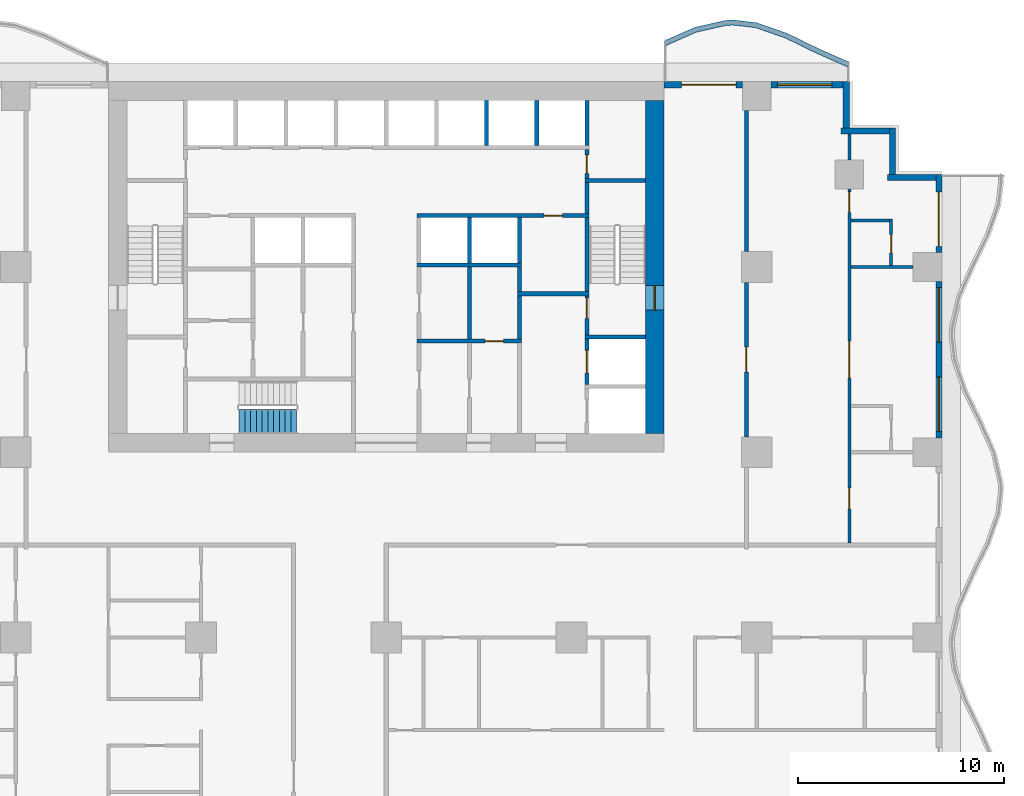
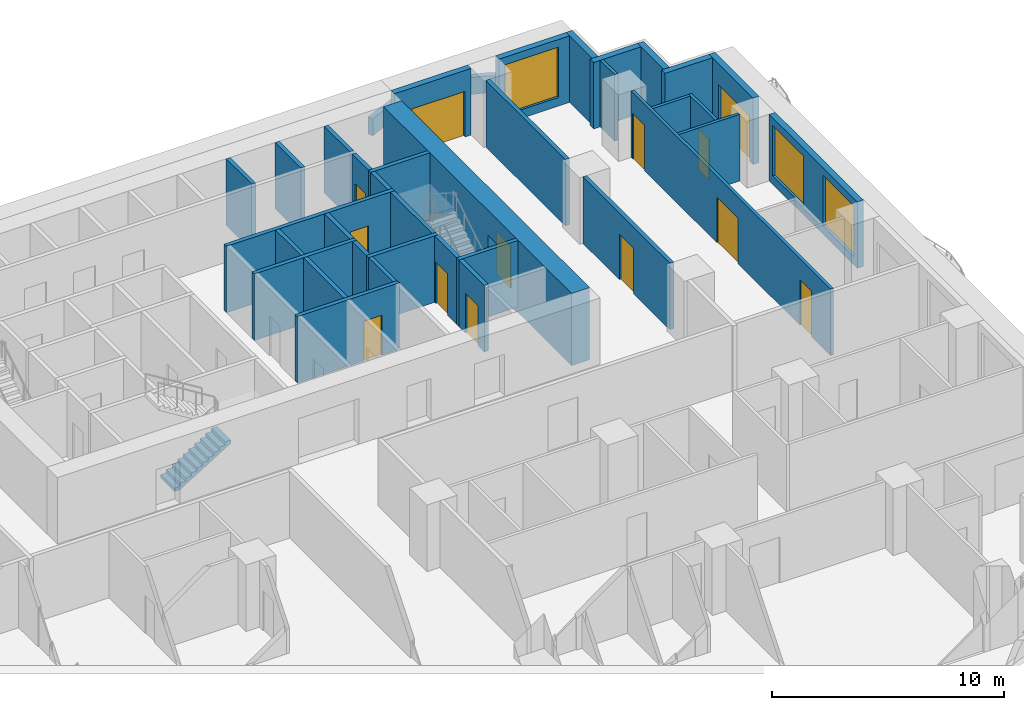
# One storey, part 6 of 14: 36 walls, 13 doors, 3 windows, 1 stair flight, 16 openings, 1 element without a shape of its own.
"""IFC4 building model written with IfcOpenShell, lengths in metres."""

from ifc_helpers import new_model, si_unit, direction, frame, frame_2d, origin, place, context, subcontext, project, spatial, polyline, rectangle, outline, extrude, material, layer, layer_set, type_object, element, fill, aggregate, save


model = new_model("IFC4")

# Units and contexts
model_context = context("Model", 3, precision=1e-05, world=origin(), true_north=direction((0.0, 1.0)))
body_context = subcontext(model_context, "Body", "Model", "MODEL_VIEW")
ifc_project = project(units=[si_unit("LENGTHUNIT", "METRE"), si_unit("AREAUNIT", "SQUARE_METRE"), si_unit("VOLUMEUNIT", "CUBIC_METRE"), si_unit("PLANEANGLEUNIT", "RADIAN"), si_unit("MASSUNIT", "GRAM", prefix="KILO")], contexts=[model_context])

# Site, building, storey
site_placement = place(None, origin())
site = spatial("IfcSite", under=ifc_project, at=site_placement, CompositionType="ELEMENT")
building_placement = place(site_placement, origin())
building = spatial("IfcBuilding", under=site, at=building_placement, Name="Orbiselva Terraces", CompositionType="ELEMENT")
storey_placement = place(building_placement, frame((0.0, 0.0, 41.6)))
storey = spatial("IfcBuildingStorey", under=building, at=storey_placement, Name="L10", CompositionType="ELEMENT", Elevation=41.6)

# Wall, opening, door
ifc_material_1 = material(Name="Concrete C80/95", Category="concrete")
ifc_layer_1 = layer(ifc_material_1, 0.9)
ifc_layer_set_1 = layer_set([ifc_layer_1], Name="Concrete C80/95")
wall_type_1 = type_object("IfcWallType", Name="CORE WALL 900", PredefinedType="SHEAR", material=ifc_layer_set_1)
wall_1_placement = place(storey_placement, frame((13.05, 5.4, -0.3), z_axis=(0.0, 0.0, 1.0), x_axis=(0.0, 1.0, 0.0)))
wall_1 = element("IfcWall", 1, at=wall_1_placement, inside=storey, type_object=wall_type_1, Name="Core wall L10 east", PredefinedType="SHEAR", context=body_context, shape_type="SweptSolid", body=[
    extrude(rectangle(XDim=16.2, YDim=0.9, at=frame_2d((8.1, 0.0))), origin(), (0.0, 0.0, 1.0), 3.8),
])
opening_1_placement = place(wall_1_placement, frame((6.0, 0.0, 0.3)))
opening_1 = element("IfcOpeningElement", 2, at=opening_1_placement, cuts=wall_1, Name="Opening DS1200", PredefinedType="OPENING", context=body_context, shape_type="SweptSolid", body=[
    extrude(rectangle(XDim=1.2, YDim=2.2, at=frame_2d((0.6, 1.1))), frame((0.0, 0.46, 0.0), z_axis=(0.0, -1.0, 0.0), x_axis=(1.0, 0.0, 0.0)), (0.0, 0.0, 1.0), 0.92),
])
ifc_material_2 = material(Name="Steel fire door", Category="steel")
door_type_1 = type_object("IfcDoorType", Name="STAIR DOOR 1200", OperationType="NOTDEFINED", PredefinedType="DOOR", material=ifc_material_2)
door_1_placement = place(opening_1_placement, frame((1.2, 0.0, 0.0), z_axis=(0.0, 0.0, 1.0), x_axis=(-1.0, 0.0, 0.0)))
door_1 = element("IfcDoor", 3, at=door_1_placement, inside=storey, type_object=door_type_1, Name="L10 EXIT STAIR S2 door", OperationType="SINGLE_SWING_LEFT", OverallHeight=2.2, OverallWidth=1.2, PredefinedType="DOOR", context=body_context, shape_type="SweptSolid", body=[
    extrude(rectangle(XDim=1.2, YDim=2.2, at=frame_2d((0.6, 1.1))), frame((0.0, 0.025, 0.0), z_axis=(0.0, -1.0, 0.0), x_axis=(1.0, 0.0, 0.0)), (0.0, 0.0, 1.0), 0.05),
])
fill(opening_1, door_1)

# Walls
ifc_material_3 = material(Name="Masonry blockwork", Category="masonry")
ifc_layer_2 = layer(ifc_material_3, 0.2)
ifc_layer_set_2 = layer_set([ifc_layer_2], Name="Masonry blockwork")
wall_type_2 = type_object("IfcWallType", Name="CORE-WALL-PARTITION-200", PredefinedType="PARTITIONING", material=ifc_layer_set_2)
wall_2_placement = place(storey_placement, frame((4.0375, 10.0, 0.0), z_axis=(0.0, 0.0, 1.0), x_axis=(0.0, 1.0, 0.0)))
element("IfcWall", 4, at=wall_2_placement, inside=storey, type_object=wall_type_2, Name="L10 core wall 37", PredefinedType="PARTITIONING", context=body_context, shape_type="SweptSolid", body=[
    extrude(rectangle(XDim=3.5, YDim=0.2, at=frame_2d((1.75, 0.0))), origin(), (0.0, 0.0, 1.0), 3.5),
])
wall_3_placement = place(storey_placement, frame((6.475, 12.3, 0.0), z_axis=(0.0, 0.0, 1.0), x_axis=(0.0, 1.0, 0.0)))
element("IfcWall", 5, at=wall_3_placement, inside=storey, type_object=wall_type_2, Name="L10 core wall 43", PredefinedType="PARTITIONING", context=body_context, shape_type="SweptSolid", body=[
    extrude(rectangle(XDim=1.2, YDim=0.2, at=frame_2d((0.6, 0.0))), origin(), (0.0, 0.0, 1.0), 3.5),
])

# Wall, opening, door
wall_4_placement = place(storey_placement, frame((9.75, 19.2, 0.0), z_axis=(0.0, 0.0, 1.0), x_axis=(0.0, -1.0, 0.0)))
wall_4 = element("IfcWall", 6, at=wall_4_placement, inside=storey, type_object=wall_type_2, Name="L10 core wall 54", PredefinedType="PARTITIONING", context=body_context, shape_type="SweptSolid", body=[
    extrude(rectangle(XDim=1.4, YDim=0.2, at=frame_2d((0.7, 0.0))), origin(), (0.0, 0.0, 1.0), 3.5),
])
opening_2_placement = place(wall_4_placement, frame((0.25, 0.0, 0.0)))
opening_2 = element("IfcOpeningElement", 7, at=opening_2_placement, cuts=wall_4, Name="Opening DR900", PredefinedType="OPENING", context=body_context, shape_type="SweptSolid", body=[
    extrude(rectangle(XDim=0.9, YDim=2.1, at=frame_2d((0.45, 1.05))), frame((0.0, 0.11, 0.0), z_axis=(0.0, -1.0, 0.0), x_axis=(1.0, 0.0, 0.0)), (0.0, 0.0, 1.0), 0.22),
])
door_type_2 = type_object("IfcDoorType", Name="ROOM DOOR 900", OperationType="NOTDEFINED", PredefinedType="DOOR", material=ifc_material_2)
door_2_placement = place(opening_2_placement, origin())
door_2 = element("IfcDoor", 8, at=door_2_placement, inside=storey, type_object=door_type_2, Name="L10 COMMS RISER ROOM door", OperationType="SINGLE_SWING_RIGHT", OverallHeight=2.1, OverallWidth=0.9, PredefinedType="DOOR", context=body_context, shape_type="SweptSolid", body=[
    extrude(rectangle(XDim=0.9, YDim=2.1, at=frame_2d((0.45, 1.05))), frame((0.0, 0.025, 0.0), z_axis=(0.0, -1.0, 0.0), x_axis=(1.0, 0.0, 0.0)), (0.0, 0.0, 1.0), 0.05),
])
fill(opening_2, door_2)

# Walls
ifc_material_4 = material(Name="Concrete C40/50", Category="concrete")
ifc_layer_3 = layer(ifc_material_4, 0.2)
ifc_layer_set_3 = layer_set([ifc_layer_3], Name="Concrete C40/50")
wall_type_3 = type_object("IfcWallType", Name="CORE-WALL-SHAFT-200", PredefinedType="PARTITIONING", material=ifc_layer_set_3)
for number, where, z_axis, x_axis, name in (
    (9, (4.0375, 13.7, 0.0), (0.0, 0.0, 1.0), (0.0, 1.0, 0.0), "L10 core wall 38"),
    (10, (4.875, 19.4, 0.0), (0.0, 0.0, 1.0), (0.0, 1.0, 0.0), "L10 core wall 39"),
    (11, (6.475, 13.7, 0.0), (0.0, 0.0, 1.0), (0.0, 1.0, 0.0), "L10 core wall 44"),
    (12, (7.3125, 19.4, 0.0), (0.0, 0.0, 1.0), (0.0, 1.0, 0.0), "L10 core wall 45"),
    (13, (9.75, 19.4, 0.0), (0.0, 0.0, 1.0), (0.0, 1.0, 0.0), "L10 core wall 55"),
):
    element("IfcWall", number, at=place(storey_placement, frame(where, z_axis=z_axis, x_axis=x_axis)), inside=storey, type_object=wall_type_3, Name=name, PredefinedType="PARTITIONING", context=body_context, shape_type="SweptSolid", body=[
        extrude(rectangle(XDim=2.2, YDim=0.2, at=frame_2d((1.1, 0.0))), origin(), (0.0, 0.0, 1.0), 3.5),
    ])

# Wall, opening, door
ifc_material_5 = material(Name="Concrete C60/75", Category="concrete")
ifc_layer_4 = layer(ifc_material_5, 0.2)
ifc_layer_set_4 = layer_set([ifc_layer_4], Name="Concrete C60/75")
wall_type_4 = type_object("IfcWallType", Name="CORE-WALL-SHEAR-200", PredefinedType="SHEAR", material=ifc_layer_set_4)
wall_5_placement = place(storey_placement, frame((1.5, 9.9, 0.0), z_axis=(0.0, 0.0, 1.0), x_axis=(1.0, 0.0, 0.0)))
wall_5 = element("IfcWall", 14, at=wall_5_placement, inside=storey, type_object=wall_type_4, Name="L10 core wall 30", PredefinedType="SHEAR", context=body_context, shape_type="SweptSolid", body=[
    extrude(rectangle(XDim=5.075, YDim=0.2, at=frame_2d((2.5375, 0.0))), origin(), (0.0, 0.0, 1.0), 3.5),
])
opening_3_placement = place(wall_5_placement, frame((3.3062, 0.0, 0.0)))
opening_3 = element("IfcOpeningElement", 15, at=opening_3_placement, cuts=wall_5, Name="Opening DR900", PredefinedType="OPENING", context=body_context, shape_type="SweptSolid", body=[
    extrude(rectangle(XDim=0.9, YDim=2.1, at=frame_2d((0.45, 1.05))), frame((0.0, 0.11, 0.0), z_axis=(0.0, -1.0, 0.0), x_axis=(1.0, 0.0, 0.0)), (0.0, 0.0, 1.0), 0.22),
])
door_3_placement = place(opening_3_placement, origin())
door_3 = element("IfcDoor", 16, at=door_3_placement, inside=storey, type_object=door_type_2, Name="L10 LINEN STORE door", OperationType="SINGLE_SWING_RIGHT", OverallHeight=2.1, OverallWidth=0.9, PredefinedType="DOOR", context=body_context, shape_type="SweptSolid", body=[
    extrude(rectangle(XDim=0.9, YDim=2.1, at=frame_2d((0.45, 1.05))), frame((0.0, 0.025, 0.0), z_axis=(0.0, -1.0, 0.0), x_axis=(1.0, 0.0, 0.0)), (0.0, 0.0, 1.0), 0.05),
])
fill(opening_3, door_3)

# Wall
wall_6_placement = place(storey_placement, frame((1.5, 13.6, 0.0), z_axis=(0.0, 0.0, 1.0), x_axis=(1.0, 0.0, 0.0)))
element("IfcWall", 17, at=wall_6_placement, inside=storey, type_object=wall_type_4, Name="L10 core wall 32", PredefinedType="SHEAR", context=body_context, shape_type="SweptSolid", body=[
    extrude(rectangle(XDim=5.075, YDim=0.2, at=frame_2d((2.5375, 0.0))), origin(), (0.0, 0.0, 1.0), 3.5),
])

# Wall, opening, door
wall_7_placement = place(storey_placement, frame((9.85, 16.0, 0.0), z_axis=(0.0, 0.0, 1.0), x_axis=(-1.0, 0.0, 0.0)))
wall_7 = element("IfcWall", 18, at=wall_7_placement, inside=storey, type_object=wall_type_4, Name="L10 core wall 34", PredefinedType="SHEAR", context=body_context, shape_type="SweptSolid", body=[
    extrude(rectangle(XDim=8.35, YDim=0.2, at=frame_2d((4.175, 0.0))), origin(), (0.0, 0.0, 1.0), 3.5),
])
opening_4_placement = place(wall_7_placement, frame((1.2875, 0.0, 0.0)))
opening_4 = element("IfcOpeningElement", 19, at=opening_4_placement, cuts=wall_7, Name="Opening DR900", PredefinedType="OPENING", context=body_context, shape_type="SweptSolid", body=[
    extrude(rectangle(XDim=0.9, YDim=2.1, at=frame_2d((0.45, 1.05))), frame((0.0, 0.11, 0.0), z_axis=(0.0, -1.0, 0.0), x_axis=(1.0, 0.0, 0.0)), (0.0, 0.0, 1.0), 0.22),
])
door_4_placement = place(opening_4_placement, origin())
door_4 = element("IfcDoor", 20, at=door_4_placement, inside=storey, type_object=door_type_2, Name="L10 PIPE RISER ROOM door", OperationType="SINGLE_SWING_LEFT", OverallHeight=2.1, OverallWidth=0.9, PredefinedType="DOOR", context=body_context, shape_type="SweptSolid", body=[
    extrude(rectangle(XDim=0.9, YDim=2.1, at=frame_2d((0.45, 1.05))), frame((0.0, 0.025, 0.0), z_axis=(0.0, -1.0, 0.0), x_axis=(1.0, 0.0, 0.0)), (0.0, 0.0, 1.0), 0.05),
])
fill(opening_4, door_4)

# Walls
wall_8_placement = place(storey_placement, frame((6.475, 10.0, 0.0), z_axis=(0.0, 0.0, 1.0), x_axis=(0.0, 1.0, 0.0)))
element("IfcWall", 21, at=wall_8_placement, inside=storey, type_object=wall_type_4, Name="L10 core wall 41", PredefinedType="SHEAR", context=body_context, shape_type="SweptSolid", body=[
    extrude(rectangle(XDim=2.1, YDim=0.2, at=frame_2d((1.05, 0.0))), origin(), (0.0, 0.0, 1.0), 3.5),
])
wall_9_placement = place(storey_placement, frame((6.375, 12.2, 0.0), z_axis=(0.0, 0.0, 1.0), x_axis=(1.0, 0.0, 0.0)))
element("IfcWall", 22, at=wall_9_placement, inside=storey, type_object=wall_type_4, Name="L10 core wall 42", PredefinedType="SHEAR", context=body_context, shape_type="SweptSolid", body=[
    extrude(rectangle(XDim=3.475, YDim=0.2, at=frame_2d((1.7375, 0.0))), origin(), (0.0, 0.0, 1.0), 3.5),
])

# Wall, opening, door
wall_10_placement = place(storey_placement, frame((9.75, 7.8, 0.0), z_axis=(0.0, 0.0, 1.0), x_axis=(0.0, 1.0, 0.0)))
wall_10 = element("IfcWall", 23, at=wall_10_placement, inside=storey, type_object=wall_type_4, Name="L10 core wall 48", PredefinedType="SHEAR", context=body_context, shape_type="SweptSolid", body=[
    extrude(rectangle(XDim=2.2, YDim=0.2, at=frame_2d((1.1, 0.0))), origin(), (0.0, 0.0, 1.0), 3.5),
])
opening_5_placement = place(wall_10_placement, frame((0.55, 0.0, 0.0)))
opening_5 = element("IfcOpeningElement", 24, at=opening_5_placement, cuts=wall_10, Name="Opening LD-FF2", PredefinedType="OPENING", context=body_context, shape_type="SweptSolid", body=[
    extrude(rectangle(XDim=1.1, YDim=2.1, at=frame_2d((0.55, 1.05))), frame((0.0, 0.11, 0.0), z_axis=(0.0, -1.0, 0.0), x_axis=(1.0, 0.0, 0.0)), (0.0, 0.0, 1.0), 0.22),
])
ifc_material_6 = material(Name="Stainless steel landing door", Category="steel")
door_type_3 = type_object("IfcDoorType", Name="LANDING DOOR 1100", OperationType="SLIDING_TO_LEFT", PredefinedType="DOOR", material=ifc_material_6)
door_5_placement = place(opening_5_placement, origin())
door_5 = element("IfcDoor", 25, at=door_5_placement, inside=storey, type_object=door_type_3, Name="L10 landing door FF2", OperationType="SLIDING_TO_RIGHT", OverallHeight=2.1, OverallWidth=1.1, PredefinedType="DOOR", context=body_context, shape_type="SweptSolid", body=[
    extrude(rectangle(XDim=1.1, YDim=2.1, at=frame_2d((0.55, 1.05))), frame((0.0, 0.025, 0.0), z_axis=(0.0, -1.0, 0.0), x_axis=(1.0, 0.0, 0.0)), (0.0, 0.0, 1.0), 0.05),
])
fill(opening_5, door_5)

# Wall
wall_11_placement = place(storey_placement, frame((9.65, 10.1, 0.0), z_axis=(0.0, 0.0, 1.0), x_axis=(1.0, 0.0, 0.0)))
element("IfcWall", 26, at=wall_11_placement, inside=storey, type_object=wall_type_4, Name="L10 core wall 49", PredefinedType="SHEAR", context=body_context, shape_type="SweptSolid", body=[
    extrude(rectangle(XDim=2.95, YDim=0.2, at=frame_2d((1.475, 0.0))), origin(), (0.0, 0.0, 1.0), 3.5),
])

# Wall, opening, door
wall_12_placement = place(storey_placement, frame((9.75, 12.1, 0.0), z_axis=(0.0, 0.0, 1.0), x_axis=(0.0, -1.0, 0.0)))
wall_12 = element("IfcWall", 27, at=wall_12_placement, inside=storey, type_object=wall_type_4, Name="L10 core wall 50", PredefinedType="SHEAR", context=body_context, shape_type="SweptSolid", body=[
    extrude(rectangle(XDim=1.9, YDim=0.2, at=frame_2d((0.95, 0.0))), origin(), (0.0, 0.0, 1.0), 3.5),
])
opening_6_placement = place(wall_12_placement, frame((0.1, 0.0, 0.0)))
opening_6 = element("IfcOpeningElement", 28, at=opening_6_placement, cuts=wall_12, Name="Opening DS1000", PredefinedType="OPENING", context=body_context, shape_type="SweptSolid", body=[
    extrude(rectangle(XDim=1.0, YDim=2.2, at=frame_2d((0.5, 1.1))), frame((0.0, 0.11, 0.0), z_axis=(0.0, -1.0, 0.0), x_axis=(1.0, 0.0, 0.0)), (0.0, 0.0, 1.0), 0.22),
])
door_type_4 = type_object("IfcDoorType", Name="STAIR DOOR 1000", OperationType="NOTDEFINED", PredefinedType="DOOR", material=ifc_material_2)
door_6_placement = place(opening_6_placement, origin())
door_6 = element("IfcDoor", 29, at=door_6_placement, inside=storey, type_object=door_type_4, Name="L10 FIRE-FIGHTING LOBBY TO EXIT STAIR S2 door", OperationType="SINGLE_SWING_LEFT", OverallHeight=2.2, OverallWidth=1.0, PredefinedType="DOOR", context=body_context, shape_type="SweptSolid", body=[
    extrude(rectangle(XDim=1.0, YDim=2.2, at=frame_2d((0.5, 1.1))), frame((0.0, 0.025, 0.0), z_axis=(0.0, -1.0, 0.0), x_axis=(1.0, 0.0, 0.0)), (0.0, 0.0, 1.0), 0.05),
])
fill(opening_6, door_6)

# Walls
wall_13_placement = place(storey_placement, frame((9.75, 12.3, 0.0), z_axis=(0.0, 0.0, 1.0), x_axis=(0.0, 1.0, 0.0)))
element("IfcWall", 30, at=wall_13_placement, inside=storey, type_object=wall_type_4, Name="L10 core wall 51", PredefinedType="SHEAR", context=body_context, shape_type="SweptSolid", body=[
    extrude(rectangle(XDim=3.6, YDim=0.2, at=frame_2d((1.8, 0.0))), origin(), (0.0, 0.0, 1.0), 3.5),
])
wall_14_placement = place(storey_placement, frame((9.75, 16.1, 0.0), z_axis=(0.0, 0.0, 1.0), x_axis=(0.0, 1.0, 0.0)))
element("IfcWall", 31, at=wall_14_placement, inside=storey, type_object=wall_type_4, Name="L10 core wall 52", PredefinedType="SHEAR", context=body_context, shape_type="SweptSolid", body=[
    extrude(rectangle(XDim=1.5, YDim=0.2, at=frame_2d((0.75, 0.0))), origin(), (0.0, 0.0, 1.0), 3.5),
])
wall_15_placement = place(storey_placement, frame((9.65, 17.7, 0.0), z_axis=(0.0, 0.0, 1.0), x_axis=(1.0, 0.0, 0.0)))
element("IfcWall", 32, at=wall_15_placement, inside=storey, type_object=wall_type_4, Name="L10 core wall 53", PredefinedType="SHEAR", context=body_context, shape_type="SweptSolid", body=[
    extrude(rectangle(XDim=2.95, YDim=0.2, at=frame_2d((1.475, 0.0))), origin(), (0.0, 0.0, 1.0), 3.5),
])
ifc_layer_5 = layer(ifc_material_4, 0.25)
ifc_layer_set_5 = layer_set([ifc_layer_5], Name="Concrete C40/50")
wall_type_5 = type_object("IfcWallType", Name="ENV-PLANTER-250x900", PredefinedType="USERDEFINED", material=ifc_layer_set_5)
wall_16_placement = place(storey_placement, origin())
element("IfcWall", 33, at=wall_16_placement, inside=storey, type_object=wall_type_5, Name="Balcony planter L10 NE", ObjectType="PLANTER", PredefinedType="USERDEFINED", context=body_context, shape_type="SweptSolid", body=[
    extrude(outline(polyline([(22.5, 23.451472), (21.0, 24.112279), (19.5, 24.844789), (18.0, 25.369208), (16.875, 25.5), (16.5, 25.485226), (15.0, 25.148528), (13.5, 24.487721), (13.600788, 24.258938), (15.078508, 24.90993), (16.532565, 25.236315), (16.865428, 25.249429), (17.943629, 25.124078), (19.40356, 24.613667), (20.894714, 23.885477), (22.399212, 23.222689), (22.5, 23.451472)])), origin(), (0.0, 0.0, 1.0), 0.9),
])

# Wall, openings, windows
ifc_material_7 = material(Name="Terracotta cladding on masonry backing", Category="masonry")
ifc_layer_6 = layer(ifc_material_7, 0.3)
ifc_layer_set_6 = layer_set([ifc_layer_6], Name="Terracotta cladding on masonry backing")
wall_type_6 = type_object("IfcWallType", Name="ENV-WALL-TERRACOTTA-300", PredefinedType="SOLIDWALL", material=ifc_layer_set_6)
wall_17_placement = place(storey_placement, frame((26.85, 12.8, 0.0), z_axis=(0.0, 0.0, 1.0), x_axis=(0.0, -1.0, 0.0)))
wall_17 = element("IfcWall", 34, at=wall_17_placement, inside=storey, type_object=wall_type_6, Name="Facade wall L10 E", PredefinedType="SOLIDWALL", context=body_context, shape_type="SweptSolid", body=[
    extrude(rectangle(XDim=7.6, YDim=0.3, at=frame_2d((3.8, 0.0))), origin(), (0.0, 0.0, 1.0), 3.5),
])
opening_7_placement = place(wall_17_placement, frame((4.65, 0.0, 0.45)))
opening_7 = element("IfcOpeningElement", 35, at=opening_7_placement, cuts=wall_17, Name="Opening WN3", PredefinedType="OPENING", context=body_context, shape_type="SweptSolid", body=[
    extrude(rectangle(XDim=2.65, YDim=2.65, at=frame_2d((1.325, 1.325))), frame((0.0, 0.16, 0.0), z_axis=(0.0, -1.0, 0.0), x_axis=(1.0, 0.0, 0.0)), (0.0, 0.0, 1.0), 0.32),
])
opening_8_placement = place(wall_17_placement, frame((0.3, 0.0, 0.45)))
opening_8 = element("IfcOpeningElement", 36, at=opening_8_placement, cuts=wall_17, Name="Opening WN3", PredefinedType="OPENING", context=body_context, shape_type="SweptSolid", body=[
    extrude(rectangle(XDim=2.65, YDim=2.65, at=frame_2d((1.325, 1.325))), frame((0.0, 0.16, 0.0), z_axis=(0.0, -1.0, 0.0), x_axis=(1.0, 0.0, 0.0)), (0.0, 0.0, 1.0), 0.32),
])
ifc_material_8 = material(Name="Clear low-e glazing in aluminium frame", Category="aluminium")
window_type = type_object("IfcWindowType", Name="WINDOW 2650 X 2650 S450", PartitioningType="TRIPLE_PANEL_VERTICAL", PredefinedType="WINDOW", material=ifc_material_8)
window_1_placement = place(opening_7_placement, origin())
window_1 = element("IfcWindow", 37, at=window_1_placement, inside=storey, type_object=window_type, Name="Window L10 E", OverallHeight=2.65, OverallWidth=2.65, PartitioningType="SINGLE_PANEL", PredefinedType="WINDOW", context=body_context, shape_type="SweptSolid", body=[
    extrude(rectangle(XDim=2.65, YDim=2.65, at=frame_2d((1.325, 1.325))), frame((0.0, 0.03, 0.0), z_axis=(0.0, -1.0, 0.0), x_axis=(1.0, 0.0, 0.0)), (0.0, 0.0, 1.0), 0.06),
])
fill(opening_7, window_1)
window_2_placement = place(opening_8_placement, origin())
window_2 = element("IfcWindow", 38, at=window_2_placement, inside=storey, type_object=window_type, Name="Window L10 E", OverallHeight=2.65, OverallWidth=2.65, PartitioningType="SINGLE_PANEL", PredefinedType="WINDOW", context=body_context, shape_type="SweptSolid", body=[
    extrude(rectangle(XDim=2.65, YDim=2.65, at=frame_2d((1.325, 1.325))), frame((0.0, 0.03, 0.0), z_axis=(0.0, -1.0, 0.0), x_axis=(1.0, 0.0, 0.0)), (0.0, 0.0, 1.0), 0.06),
])
fill(opening_8, window_2)

# Wall, opening, door
wall_18_placement = place(storey_placement, frame((26.85, 18.0, 0.0), z_axis=(0.0, 0.0, 1.0), x_axis=(0.0, -1.0, 0.0)))
wall_18 = element("IfcWall", 39, at=wall_18_placement, inside=storey, type_object=wall_type_6, Name="Facade wall L10 E", PredefinedType="SOLIDWALL", context=body_context, shape_type="SweptSolid", body=[
    extrude(rectangle(XDim=3.8, YDim=0.3, at=frame_2d((1.9, 0.0))), origin(), (0.0, 0.0, 1.0), 3.5),
])
opening_9_placement = place(wall_18_placement, frame((0.85, 0.0, 0.0)))
opening_9 = element("IfcOpeningElement", 40, at=opening_9_placement, cuts=wall_18, Name="Opening Z1-C-E19", PredefinedType="OPENING", context=body_context, shape_type="SweptSolid", body=[
    extrude(rectangle(XDim=2.65, YDim=2.4, at=frame_2d((1.325, 1.2))), frame((0.0, 0.16, 0.0), z_axis=(0.0, -1.0, 0.0), x_axis=(1.0, 0.0, 0.0)), (0.0, 0.0, 1.0), 0.32),
])
door_type_5 = type_object("IfcDoorType", Name="BALCONY DOOR 2650 X 2400", OperationType="DOUBLE_DOOR_SLIDING", PredefinedType="DOOR", material=ifc_material_8)
door_7_placement = place(opening_9_placement, origin())
door_7 = element("IfcDoor", 41, at=door_7_placement, inside=storey, type_object=door_type_5, Name="Z1-C-E19", OperationType="SINGLE_SWING_LEFT", OverallHeight=2.4, OverallWidth=2.65, PredefinedType="DOOR", context=body_context, shape_type="SweptSolid", body=[
    extrude(rectangle(XDim=2.65, YDim=2.4, at=frame_2d((1.325, 1.2))), frame((0.0, 0.025, 0.0), z_axis=(0.0, -1.0, 0.0), x_axis=(1.0, 0.0, 0.0)), (0.0, 0.0, 1.0), 0.05),
])
fill(opening_9, door_7)

# Walls
wall_19_placement = place(storey_placement, frame((24.35, 17.85, 0.0), z_axis=(0.0, 0.0, 1.0), x_axis=(1.0, 0.0, 0.0)))
element("IfcWall", 42, at=wall_19_placement, inside=storey, type_object=wall_type_6, Name="Facade wall L10 STEP", PredefinedType="SOLIDWALL", context=body_context, shape_type="SweptSolid", body=[
    extrude(rectangle(XDim=2.35, YDim=0.3, at=frame_2d((1.175, 0.0))), origin(), (0.0, 0.0, 1.0), 3.5),
])
wall_20_placement = place(storey_placement, frame((24.6, 20.25, 0.0), z_axis=(0.0, 0.0, 1.0), x_axis=(0.0, -1.0, 0.0)))
element("IfcWall", 43, at=wall_20_placement, inside=storey, type_object=wall_type_6, Name="Facade wall L10 STEP", PredefinedType="SOLIDWALL", context=body_context, shape_type="SweptSolid", body=[
    extrude(rectangle(XDim=2.25, YDim=0.3, at=frame_2d((1.125, 0.0))), origin(), (0.0, 0.0, 1.0), 3.5),
])
wall_21_placement = place(storey_placement, frame((22.1, 20.1, 0.0), z_axis=(0.0, 0.0, 1.0), x_axis=(1.0, 0.0, 0.0)))
element("IfcWall", 44, at=wall_21_placement, inside=storey, type_object=wall_type_6, Name="Facade wall L10 STEP", PredefinedType="SOLIDWALL", context=body_context, shape_type="SweptSolid", body=[
    extrude(rectangle(XDim=2.35, YDim=0.3, at=frame_2d((1.175, 0.0))), origin(), (0.0, 0.0, 1.0), 3.5),
])
wall_22_placement = place(storey_placement, frame((22.35, 22.5, 0.0), z_axis=(0.0, 0.0, 1.0), x_axis=(0.0, -1.0, 0.0)))
element("IfcWall", 45, at=wall_22_placement, inside=storey, type_object=wall_type_6, Name="Facade wall L10 STEP", PredefinedType="SOLIDWALL", context=body_context, shape_type="SweptSolid", body=[
    extrude(rectangle(XDim=2.25, YDim=0.3, at=frame_2d((1.125, 0.0))), origin(), (0.0, 0.0, 1.0), 3.5),
])

# Wall, opening, window
wall_23_placement = place(storey_placement, frame((18.7, 22.35, 0.0), z_axis=(0.0, 0.0, 1.0), x_axis=(1.0, 0.0, 0.0)))
wall_23 = element("IfcWall", 46, at=wall_23_placement, inside=storey, type_object=wall_type_6, Name="Facade wall L10 NE", PredefinedType="SOLIDWALL", context=body_context, shape_type="SweptSolid", body=[
    extrude(rectangle(XDim=3.5, YDim=0.3, at=frame_2d((1.75, 0.0))), origin(), (0.0, 0.0, 1.0), 3.5),
])
opening_10_placement = place(wall_23_placement, frame((0.3, 0.0, 0.45)))
opening_10 = element("IfcOpeningElement", 47, at=opening_10_placement, cuts=wall_23, Name="Opening WN3", PredefinedType="OPENING", context=body_context, shape_type="SweptSolid", body=[
    extrude(rectangle(XDim=2.65, YDim=2.65, at=frame_2d((1.325, 1.325))), frame((0.0, 0.16, 0.0), z_axis=(0.0, -1.0, 0.0), x_axis=(1.0, 0.0, 0.0)), (0.0, 0.0, 1.0), 0.32),
])
window_3_placement = place(opening_10_placement, origin())
window_3 = element("IfcWindow", 48, at=window_3_placement, inside=storey, type_object=window_type, Name="Window L10 NE", OverallHeight=2.65, OverallWidth=2.65, PartitioningType="SINGLE_PANEL", PredefinedType="WINDOW", context=body_context, shape_type="SweptSolid", body=[
    extrude(rectangle(XDim=2.65, YDim=2.65, at=frame_2d((1.325, 1.325))), frame((0.0, 0.03, 0.0), z_axis=(0.0, -1.0, 0.0), x_axis=(1.0, 0.0, 0.0)), (0.0, 0.0, 1.0), 0.06),
])
fill(opening_10, window_3)

# Wall, opening, door
wall_24_placement = place(storey_placement, frame((13.5, 22.35, 0.0), z_axis=(0.0, 0.0, 1.0), x_axis=(1.0, 0.0, 0.0)))
wall_24 = element("IfcWall", 49, at=wall_24_placement, inside=storey, type_object=wall_type_6, Name="Facade wall L10 NE", PredefinedType="SOLIDWALL", context=body_context, shape_type="SweptSolid", body=[
    extrude(rectangle(XDim=3.8, YDim=0.3, at=frame_2d((1.9, 0.0))), origin(), (0.0, 0.0, 1.0), 3.5),
])
opening_11_placement = place(wall_24_placement, frame((0.85, 0.0, 0.0)))
opening_11 = element("IfcOpeningElement", 50, at=opening_11_placement, cuts=wall_24, Name="Opening Z1-C-E20", PredefinedType="OPENING", context=body_context, shape_type="SweptSolid", body=[
    extrude(rectangle(XDim=2.65, YDim=2.4, at=frame_2d((1.325, 1.2))), frame((0.0, 0.16, 0.0), z_axis=(0.0, -1.0, 0.0), x_axis=(1.0, 0.0, 0.0)), (0.0, 0.0, 1.0), 0.32),
])
door_8_placement = place(opening_11_placement, origin())
door_8 = element("IfcDoor", 51, at=door_8_placement, inside=storey, type_object=door_type_5, Name="Z1-C-E20", OperationType="SINGLE_SWING_LEFT", OverallHeight=2.4, OverallWidth=2.65, PredefinedType="DOOR", context=body_context, shape_type="SweptSolid", body=[
    extrude(rectangle(XDim=2.65, YDim=2.4, at=frame_2d((1.325, 1.2))), frame((0.0, 0.025, 0.0), z_axis=(0.0, -1.0, 0.0), x_axis=(1.0, 0.0, 0.0)), (0.0, 0.0, 1.0), 0.05),
])
fill(opening_11, door_8)

ifc_material_9 = material(Name="Plasterboard on steel stud partition", Category="steel")
ifc_layer_7 = layer(ifc_material_9, 0.2)
ifc_layer_set_7 = layer_set([ifc_layer_7], Name="Plasterboard on steel stud partition")
wall_type_7 = type_object("IfcWallType", Name="UNIT-ENTRANCE-WALL-200", PredefinedType="PARTITIONING", material=ifc_layer_set_7)
wall_25_placement = place(storey_placement, frame((17.5, 12.75, 0.0), z_axis=(0.0, 0.0, 1.0), x_axis=(0.0, -1.0, 0.0)))
wall_25 = element("IfcWall", 52, at=wall_25_placement, inside=storey, type_object=wall_type_7, Name="PARTITION L10-071", PredefinedType="PARTITIONING", context=body_context, shape_type="SweptSolid", body=[
    extrude(rectangle(XDim=7.5, YDim=0.2, at=frame_2d((3.75, 0.0))), origin(), (0.0, 0.0, 1.0), 3.5),
])
opening_12_placement = place(wall_25_placement, frame((3.15, 0.0, 0.0)))
opening_12 = element("IfcOpeningElement", 53, at=opening_12_placement, cuts=wall_25, Name="Opening Z1-C-07", PredefinedType="OPENING", context=body_context, shape_type="SweptSolid", body=[
    extrude(rectangle(XDim=1.2, YDim=2.4, at=frame_2d((0.6, 1.2))), frame((0.0, 0.11, 0.0), z_axis=(0.0, -1.0, 0.0), x_axis=(1.0, 0.0, 0.0)), (0.0, 0.0, 1.0), 0.22),
])
ifc_material_10 = material(Name="Painted timber door leaf", Category="wood")
door_type_6 = type_object("IfcDoorType", Name="ENTRANCE DOOR 1200", OperationType="NOTDEFINED", PredefinedType="DOOR", material=ifc_material_10)
door_9_placement = place(opening_12_placement, origin())
door_9 = element("IfcDoor", 54, at=door_9_placement, inside=storey, type_object=door_type_6, Name="Z1-C-07", OperationType="SINGLE_SWING_RIGHT", OverallHeight=2.4, OverallWidth=1.2, PredefinedType="DOOR", context=body_context, shape_type="SweptSolid", body=[
    extrude(rectangle(XDim=1.2, YDim=2.4, at=frame_2d((0.6, 1.2))), frame((0.0, 0.025, 0.0), z_axis=(0.0, -1.0, 0.0), x_axis=(1.0, 0.0, 0.0)), (0.0, 0.0, 1.0), 0.05),
])
fill(opening_12, door_9)

# Walls
wall_26_placement = place(storey_placement, frame((17.5, 14.25, 0.0), z_axis=(0.0, 0.0, 1.0), x_axis=(0.0, 1.0, 0.0)))
element("IfcWall", 55, at=wall_26_placement, inside=storey, type_object=wall_type_7, Name="PARTITION L10-072", PredefinedType="PARTITIONING", context=body_context, shape_type="SweptSolid", body=[
    extrude(rectangle(XDim=6.85, YDim=0.2, at=frame_2d((3.425, 0.0))), origin(), (0.0, 0.0, 1.0), 3.5),
])
ifc_layer_8 = layer(ifc_material_9, 0.15)
ifc_layer_set_8 = layer_set([ifc_layer_8], Name="Plasterboard on steel stud partition")
wall_type_8 = type_object("IfcWallType", Name="UNIT-PARTITION-150", PredefinedType="PARTITIONING", material=ifc_layer_set_8)
wall_27_placement = place(storey_placement, frame((22.575, 13.5, 0.0), z_axis=(0.0, 0.0, 1.0), x_axis=(1.0, 0.0, 0.0)))
element("IfcWall", 56, at=wall_27_placement, inside=storey, type_object=wall_type_8, Name="PARTITION L10-037", PredefinedType="PARTITIONING", context=body_context, shape_type="SweptSolid", body=[
    extrude(rectangle(XDim=3.025, YDim=0.15, at=frame_2d((1.5125, 0.0))), origin(), (0.0, 0.0, 1.0), 3.5),
])
wall_28_placement = place(storey_placement, frame((22.575, 15.75, 0.0), z_axis=(0.0, 0.0, 1.0), x_axis=(1.0, 0.0, 0.0)))
element("IfcWall", 57, at=wall_28_placement, inside=storey, type_object=wall_type_8, Name="PARTITION L10-039", PredefinedType="PARTITIONING", context=body_context, shape_type="SweptSolid", body=[
    extrude(rectangle(XDim=1.875, YDim=0.15, at=frame_2d((0.9375, 0.0))), origin(), (0.0, 0.0, 1.0), 3.5),
])

# Wall, openings, doors
wall_29_placement = place(storey_placement, frame((22.5, 17.3, 0.0), z_axis=(0.0, 0.0, 1.0), x_axis=(0.0, -1.0, 0.0)))
wall_29 = element("IfcWall", 58, at=wall_29_placement, inside=storey, type_object=wall_type_8, Name="PARTITION L10-076", PredefinedType="PARTITIONING", context=body_context, shape_type="SweptSolid", body=[
    extrude(rectangle(XDim=17.2, YDim=0.15, at=frame_2d((8.6, 0.0))), origin(), (0.0, 0.0, 1.0), 3.5),
])
opening_13_placement = place(wall_29_placement, frame((14.55, 0.0, 0.0)))
opening_13 = element("IfcOpeningElement", 59, at=opening_13_placement, cuts=wall_29, Name="Opening Z1-C-08", PredefinedType="OPENING", context=body_context, shape_type="SweptSolid", body=[
    extrude(rectangle(XDim=1.0, YDim=2.4, at=frame_2d((0.5, 1.2))), frame((0.0, 0.085, 0.0), z_axis=(0.0, -1.0, 0.0), x_axis=(1.0, 0.0, 0.0)), (0.0, 0.0, 1.0), 0.17),
])
opening_14_placement = place(wall_29_placement, frame((7.4, 0.0, 0.0)))
opening_14 = element("IfcOpeningElement", 60, at=opening_14_placement, cuts=wall_29, Name="Opening Z1-C-09", PredefinedType="OPENING", context=body_context, shape_type="SweptSolid", body=[
    extrude(rectangle(XDim=1.8, YDim=2.4, at=frame_2d((0.9, 1.2))), frame((0.0, 0.085, 0.0), z_axis=(0.0, -1.0, 0.0), x_axis=(1.0, 0.0, 0.0)), (0.0, 0.0, 1.0), 0.17),
])
opening_15_placement = place(wall_29_placement, frame((0.15, 0.0, 0.0)))
opening_15 = element("IfcOpeningElement", 61, at=opening_15_placement, cuts=wall_29, Name="Opening Z1-C-11", PredefinedType="OPENING", context=body_context, shape_type="SweptSolid", body=[
    extrude(rectangle(XDim=1.0, YDim=2.4, at=frame_2d((0.5, 1.2))), frame((0.0, 0.085, 0.0), z_axis=(0.0, -1.0, 0.0), x_axis=(1.0, 0.0, 0.0)), (0.0, 0.0, 1.0), 0.17),
])
door_type_7 = type_object("IfcDoorType", Name="DOUBLE DOOR 1800", OperationType="NOTDEFINED", PredefinedType="DOOR", material=ifc_material_10)
door_10_placement = place(opening_14_placement, origin())
door_10 = element("IfcDoor", 62, at=door_10_placement, inside=storey, type_object=door_type_7, Name="Z1-C-09", OperationType="DOUBLE_DOOR_SINGLE_SWING", OverallHeight=2.4, OverallWidth=1.8, PredefinedType="DOOR", context=body_context, shape_type="SweptSolid", body=[
    extrude(rectangle(XDim=1.8, YDim=2.4, at=frame_2d((0.9, 1.2))), frame((0.0, 0.025, 0.0), z_axis=(0.0, -1.0, 0.0), x_axis=(1.0, 0.0, 0.0)), (0.0, 0.0, 1.0), 0.05),
])
fill(opening_14, door_10)
door_type_8 = type_object("IfcDoorType", Name="ROOM DOOR 1000", OperationType="NOTDEFINED", PredefinedType="DOOR", material=ifc_material_10)
door_11_placement = place(opening_13_placement, origin())
door_11 = element("IfcDoor", 63, at=door_11_placement, inside=storey, type_object=door_type_8, Name="Z1-C-08", OperationType="SINGLE_SWING_RIGHT", OverallHeight=2.4, OverallWidth=1.0, PredefinedType="DOOR", context=body_context, shape_type="SweptSolid", body=[
    extrude(rectangle(XDim=1.0, YDim=2.4, at=frame_2d((0.5, 1.2))), frame((0.0, 0.025, 0.0), z_axis=(0.0, -1.0, 0.0), x_axis=(1.0, 0.0, 0.0)), (0.0, 0.0, 1.0), 0.05),
])
fill(opening_13, door_11)
door_12_placement = place(opening_15_placement, origin())
door_12 = element("IfcDoor", 64, at=door_12_placement, inside=storey, type_object=door_type_8, Name="Z1-C-11", OperationType="SINGLE_SWING_LEFT", OverallHeight=2.4, OverallWidth=1.0, PredefinedType="DOOR", context=body_context, shape_type="SweptSolid", body=[
    extrude(rectangle(XDim=1.0, YDim=2.4, at=frame_2d((0.5, 1.2))), frame((0.0, 0.025, 0.0), z_axis=(0.0, -1.0, 0.0), x_axis=(1.0, 0.0, 0.0)), (0.0, 0.0, 1.0), 0.05),
])
fill(opening_15, door_12)

# Wall
wall_30_placement = place(storey_placement, frame((22.5, 18.7, 0.0), z_axis=(0.0, 0.0, 1.0), x_axis=(0.0, 1.0, 0.0)))
element("IfcWall", 65, at=wall_30_placement, inside=storey, type_object=wall_type_8, Name="PARTITION L10-077", PredefinedType="PARTITIONING", context=body_context, shape_type="SweptSolid", body=[
    extrude(rectangle(XDim=1.25, YDim=0.15, at=frame_2d((0.625, 0.0))), origin(), (0.0, 0.0, 1.0), 3.5),
])

# Wall, opening, door
wall_31_placement = place(storey_placement, frame((24.525, 13.575, 0.0), z_axis=(0.0, 0.0, 1.0), x_axis=(0.0, 1.0, 0.0)))
wall_31 = element("IfcWall", 66, at=wall_31_placement, inside=storey, type_object=wall_type_8, Name="PARTITION L10-080", PredefinedType="PARTITIONING", context=body_context, shape_type="SweptSolid", body=[
    extrude(rectangle(XDim=2.25, YDim=0.15, at=frame_2d((1.125, 0.0))), origin(), (0.0, 0.0, 1.0), 3.5),
])
opening_16_placement = place(wall_31_placement, frame((0.6, 0.0, 0.0)))
opening_16 = element("IfcOpeningElement", 67, at=opening_16_placement, cuts=wall_31, Name="Opening Z1-C-12", PredefinedType="OPENING", context=body_context, shape_type="SweptSolid", body=[
    extrude(rectangle(XDim=0.9, YDim=2.1, at=frame_2d((0.45, 1.05))), frame((0.0, 0.085, 0.0), z_axis=(0.0, -1.0, 0.0), x_axis=(1.0, 0.0, 0.0)), (0.0, 0.0, 1.0), 0.17),
])
door_type_9 = type_object("IfcDoorType", Name="BATH DOOR 900", OperationType="NOTDEFINED", PredefinedType="DOOR", material=ifc_material_10)
door_13_placement = place(opening_16_placement, origin())
door_13 = element("IfcDoor", 68, at=door_13_placement, inside=storey, type_object=door_type_9, Name="Z1-C-12", OperationType="SINGLE_SWING_LEFT", OverallHeight=2.1, OverallWidth=0.9, PredefinedType="DOOR", context=body_context, shape_type="SweptSolid", body=[
    extrude(rectangle(XDim=0.9, YDim=2.1, at=frame_2d((0.45, 1.05))), frame((0.0, 0.025, 0.0), z_axis=(0.0, -1.0, 0.0), x_axis=(1.0, 0.0, 0.0)), (0.0, 0.0, 1.0), 0.05),
])
fill(opening_16, door_13)

# Stair, stair flight
stair_type = type_object("IfcStairType", Name="CORE-STAIR-1200", PredefinedType="HALF_TURN_STAIR", material=ifc_material_4)
stair_placement = place(storey_placement, origin())
stair = element("IfcStair", 69, at=stair_placement, inside=storey, type_object=stair_type, Name="L10 Exit Stair S3", PredefinedType="HALF_TURN_STAIR")
stair_flight_type = type_object("IfcStairFlightType", Name="CORE-STAIR-FLIGHT-1200", PredefinedType="STRAIGHT", material=ifc_material_4)
stair_flight_placement = place(storey_placement, frame((-7.15, 6.0, 0.0), z_axis=(0.0, 0.0, 1.0), x_axis=(1.0, 0.0, 0.0)))
stair_flight = element("IfcStairFlight", 70, at=stair_flight_placement, type_object=stair_flight_type, Name="S3 flight 1", NumberOfRisers=11, NumberOfTreads=10, PredefinedType="STRAIGHT", RiserHeight=0.172727273, TreadLength=0.28, context=body_context, shape_type="SweptSolid", body=[
    extrude(outline(polyline([(0.0, 0.0), (0.0, 0.172727), (0.28, 0.172727), (0.28, 0.345455), (0.56, 0.345455), (0.56, 0.518182), (0.84, 0.518182), (0.84, 0.690909), (1.12, 0.690909), (1.12, 0.863636), (1.4, 0.863636), (1.4, 1.036364), (1.68, 1.036364), (1.68, 1.209091), (1.96, 1.209091), (1.96, 1.381818), (2.24, 1.381818), (2.24, 1.554545), (2.52, 1.554545), (2.52, 1.727273), (2.8, 1.727273), (2.8, 1.9), (2.8, 1.551028), (0.285702, 0.0), (0.0, 0.0)])), frame((0.0, 0.6, 0.0), z_axis=(0.0, -1.0, 0.0), x_axis=(1.0, 0.0, 0.0)), (0.0, 0.0, 1.0), 1.2),
])
aggregate(stair, [stair_flight])

save(model, "model.ifc")
